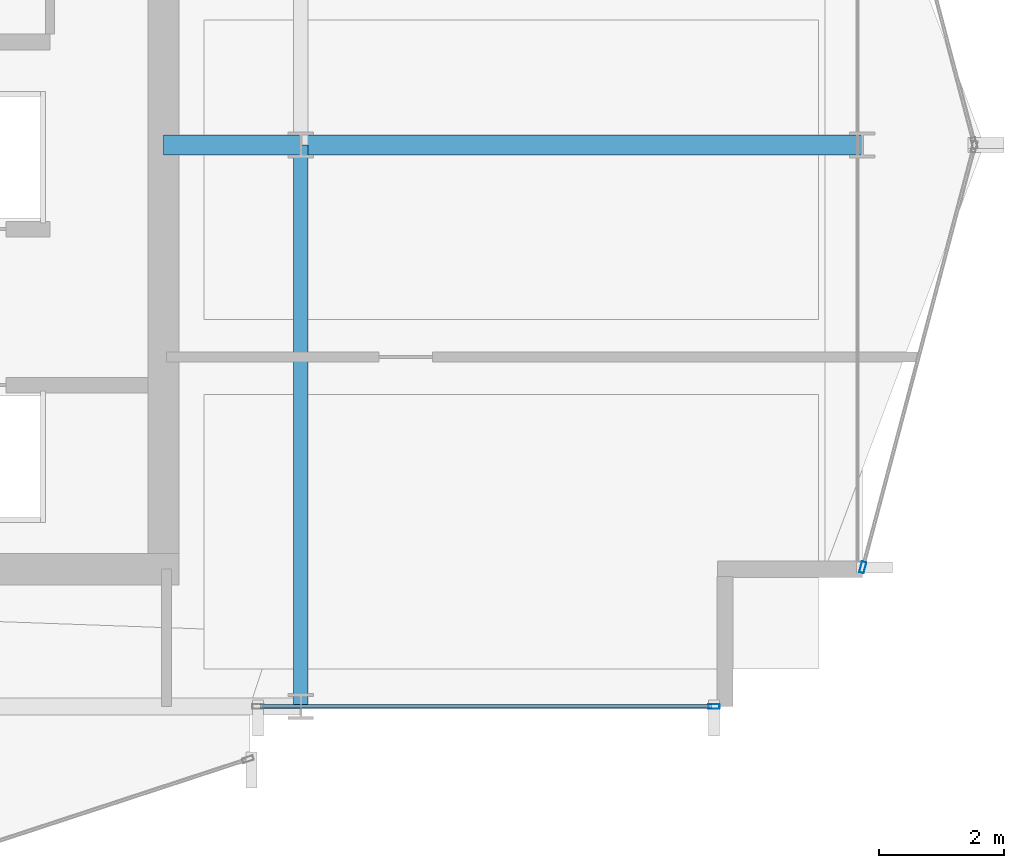
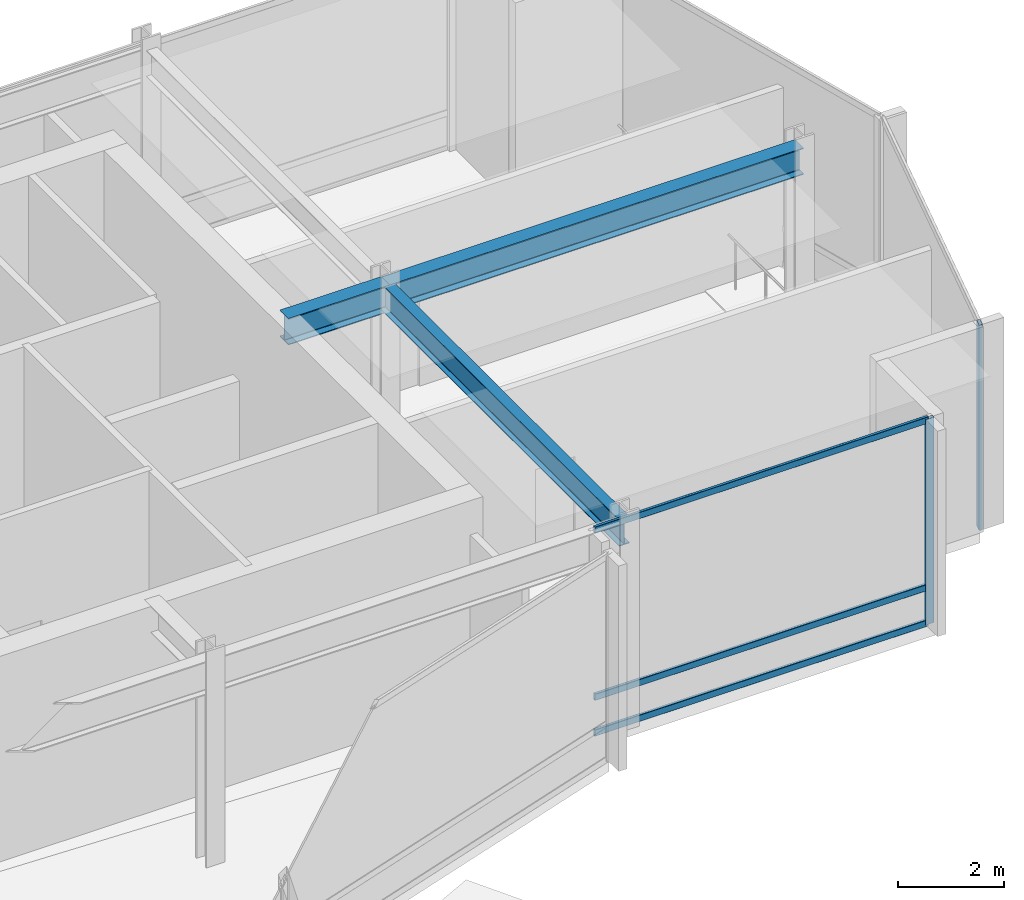
# One storey, part 11 of 29: 5 members, 3 beams, 2 elements without a shape of their own.
"""IFC4 building model written with IfcOpenShell, lengths in metres."""

import ifcopenshell
import ifcopenshell.guid

model = None  # the IFC model being written
_history = None  # IfcOwnerHistory: only IFC2X3 demands one
_inside = {}  # id of a spatial element -> (the spatial element, [elements in it])
_under = {}  # id of a project, library or spatial element -> (it, [spatial elements below it])
_declared = {}  # id of a project -> (the project, [libraries it declares])
_typed = {}  # id of a type object -> (the type object, [elements of that type])
_made_of = {}  # id of a material, layer set ... -> (it, [elements and type objects made of it])


def new_model(schema):
    """Start an empty IFC model of exactly this schema.

    Asked for "IFC4X3", IfcOpenShell would pick the latest addendum, in which some entities
    have other attributes; the version numbers below select the first issue.
    IFC2X3 requires an IfcOwnerHistory on every rooted entity: one is made here for all.
    """
    global model, _history
    if schema == "IFC4X3":
        model = ifcopenshell.file(schema_version=(4, 3, 0, 0))
    else:
        model = ifcopenshell.file(schema=schema)
    _inside.clear()
    _under.clear()
    _declared.clear()
    _typed.clear()
    _made_of.clear()
    _history = None
    if model.schema == "IFC2X3":
        org = make("IfcOrganization", Name="unknown")
        user = make(
            "IfcPersonAndOrganization",
            ThePerson=make("IfcPerson", FamilyName="unknown"),
            TheOrganization=org,
        )
        app = make(
            "IfcApplication",
            ApplicationDeveloper=org,
            Version="unknown",
            ApplicationFullName="unknown",
            ApplicationIdentifier="unknown",
        )
        _history = make(
            "IfcOwnerHistory",
            OwningUser=user,
            OwningApplication=app,
            ChangeAction="ADDED",
            CreationDate=0,
        )
    return model


def make(cls, **values):
    """One entity of the class cls with the attributes given. An attribute that is None is left unset."""
    return model.create_entity(
        cls, **{name: value for name, value in values.items() if value is not None}
    )


def rooted(cls, **values):
    """An entity with a GlobalId (a new one), such as an element, a storey or a relation."""
    return make(cls, GlobalId=ifcopenshell.guid.new(), OwnerHistory=_history, **values)


def si_unit(unit_type, name, prefix=None):
    """IfcSIUnit, for example si_unit("LENGTHUNIT", "METRE", prefix="MILLI")."""
    return make("IfcSIUnit", UnitType=unit_type, Prefix=prefix, Name=name)


def assignment(units):
    """IfcUnitAssignment: the units of a project."""
    return None if units is None else make("IfcUnitAssignment", Units=units)


def point(xyz):
    """IfcCartesianPoint."""
    return None if xyz is None else make("IfcCartesianPoint", Coordinates=xyz)


def direction(xyz):
    """IfcDirection."""
    return None if xyz is None else make("IfcDirection", DirectionRatios=xyz)


def frame(location, z_axis=None, x_axis=None):
    """IfcAxis2Placement3D, a coordinate frame: its origin and axes. An axis left out is left unset."""
    return make(
        "IfcAxis2Placement3D",
        Location=point(location),
        Axis=direction(z_axis),
        RefDirection=direction(x_axis),
    )


def frame_2d(location, x_axis=None):
    """IfcAxis2Placement2D, a coordinate frame in the plane: its origin and x axis."""
    return make(
        "IfcAxis2Placement2D", Location=point(location), RefDirection=direction(x_axis)
    )


def origin():
    """The frame at (0, 0, 0) with its axes left unset."""
    return frame((0.0, 0.0, 0.0))


def origin_2d():
    """The frame at (0, 0) in the plane with its x axis left unset."""
    return frame_2d((0.0, 0.0))


def place(relative_to, where):
    """IfcLocalPlacement: puts the frame where relative to a parent placement (None: the world)."""
    return make(
        "IfcLocalPlacement", PlacementRelTo=relative_to, RelativePlacement=where
    )


def context(
    kind, dimensions, precision=None, world=None, true_north=None, identifier=None
):
    """IfcGeometricRepresentationContext, for example the 3D "Model" context."""
    return make(
        "IfcGeometricRepresentationContext",
        ContextIdentifier=identifier,
        ContextType=kind,
        CoordinateSpaceDimension=dimensions,
        Precision=precision,
        WorldCoordinateSystem=world,
        TrueNorth=true_north,
    )


def subcontext(parent, identifier, kind, view, scale=None):
    """IfcGeometricRepresentationSubContext, for example "Body" below "Model"."""
    return make(
        "IfcGeometricRepresentationSubContext",
        ContextIdentifier=identifier,
        ContextType=kind,
        ParentContext=parent,
        TargetScale=scale,
        TargetView=view,
    )


def project(units=None, contexts=None):
    """IfcProject with its units and contexts."""
    return rooted(
        "IfcProject",
        Name="project",
        RepresentationContexts=contexts,
        UnitsInContext=assignment(units),
    )


def spatial(cls, under=None, at=None, **own):
    """A site, building, storey or space (cls), placed at a placement, below another one or the project."""
    s = rooted(cls, ObjectPlacement=at, **own)
    if under is not None:
        _under.setdefault(under.id(), (under, []))[1].append(s)
    return s


def profile(cls, at=None, kind="AREA", **sizes):
    """A parametric profile (cls). Its sizes go by their IFC names, for example OverallWidth=200.0."""
    return make(cls, ProfileType=kind, Position=at, **sizes)


def hollow_rectangle(**sizes):
    """IfcRectangleHollowProfileDef."""
    return profile("IfcRectangleHollowProfileDef", **sizes)


def i_section(**sizes):
    """IfcIShapeProfileDef."""
    return profile("IfcIShapeProfileDef", **sizes)


def extrude(swept, where, along, depth):
    """IfcExtrudedAreaSolid: the profile swept, set in the frame where, extruded along a direction by depth."""
    return make(
        "IfcExtrudedAreaSolid",
        SweptArea=swept,
        Position=where,
        ExtrudedDirection=direction(along),
        Depth=depth,
    )


def shape(context_of_items, identifier, shape_type, items):
    """IfcShapeRepresentation: the items that make up one representation, for example the "Body"."""
    return make(
        "IfcShapeRepresentation",
        ContextOfItems=context_of_items,
        RepresentationIdentifier=identifier,
        RepresentationType=shape_type,
        Items=items,
    )


def material(Name=None, Category=None):
    """IfcMaterial."""
    return make("IfcMaterial", Name=Name, Category=Category)


def layer(
    of_material, thickness, ventilated=None, Name=None, Category=None, Priority=None
):
    """IfcMaterialLayer: one layer of a wall or slab, of a material (None: an air gap)."""
    return make(
        "IfcMaterialLayer",
        Material=of_material,
        LayerThickness=thickness,
        IsVentilated=ventilated,
        Name=Name,
        Category=Category,
        Priority=Priority,
    )


def layer_set(layers, Name=None):
    """IfcMaterialLayerSet."""
    return make("IfcMaterialLayerSet", MaterialLayers=layers, LayerSetName=Name)


def material_profile(
    of_material, cross_section, Name=None, Category=None, Priority=None
):
    """IfcMaterialProfile: a cross section and its material."""
    return make(
        "IfcMaterialProfile",
        Name=Name,
        Material=of_material,
        Profile=cross_section,
        Priority=Priority,
        Category=Category,
    )


def profile_set(profiles, Name=None, composite=None):
    """IfcMaterialProfileSet."""
    return make(
        "IfcMaterialProfileSet",
        Name=Name,
        MaterialProfiles=profiles,
        CompositeProfile=composite,
    )


def made_of(thing, what):
    """Note that an element or type object is made of a material, layer set ...; save() writes the relation."""
    if what is not None:
        _made_of.setdefault(what.id(), (what, []))[1].append(thing)
    return thing


def type_object(cls, material=None, **own):
    """A type object (cls), such as IfcWallType, which elements share."""
    return made_of(rooted(cls, **own), material)


def element(
    cls,
    number,
    at=None,
    inside=None,
    cuts=None,
    type_object=None,
    material=None,
    context=None,
    identifier="Body",
    shape_type=None,
    held_by="IfcProductDefinitionShape",
    body=None,
    shapes=None,
    **own,
):
    """One element of the class cls, such as IfcWall. Its Tag is "e" and its number.

    at: its placement. inside: the storey or other place that contains it. cuts: it is an
    opening in that element (IfcRelVoidsElement). A single representation is given by context,
    identifier, shape_type and body (its items); several are given by shapes. held_by: the class
    of the entity that holds the representations. save() writes the other relations.
    """
    e = rooted(cls, Tag="e%d" % number, ObjectPlacement=at, **own)
    if body is not None:
        shapes = [shape(context, identifier, shape_type, body)]
    if shapes is not None:
        e.Representation = make(held_by, Representations=shapes)
    if inside is not None:
        _inside.setdefault(inside.id(), (inside, []))[1].append(e)
    if cuts is not None:
        rooted(
            "IfcRelVoidsElement", RelatingBuildingElement=cuts, RelatedOpeningElement=e
        )
    if type_object is not None:
        _typed.setdefault(type_object.id(), (type_object, []))[1].append(e)
    return made_of(e, material)


def aggregate(whole, parts):
    """IfcRelAggregates: a whole, such as a stair, and the parts it consists of."""
    return rooted("IfcRelAggregates", RelatingObject=whole, RelatedObjects=parts)


def save(model, path):
    """Write the relations noted so far, then the file.

    IfcRelAggregates (storeys below a building ...), IfcRelContainedInSpatialStructure (elements
    in a storey), IfcRelDefinesByType, IfcRelAssociatesMaterial and IfcRelDeclares: one each for
    every whole, place, type object, material and project.
    """
    for whole, parts in _under.values():
        aggregate(whole, parts)
    for where, things in _inside.values():
        rooted(
            "IfcRelContainedInSpatialStructure",
            RelatedElements=things,
            RelatingStructure=where,
        )
    for kind, things in _typed.values():
        rooted("IfcRelDefinesByType", RelatedObjects=things, RelatingType=kind)
    for what, things in _made_of.values():
        rooted("IfcRelAssociatesMaterial", RelatedObjects=things, RelatingMaterial=what)
    for by, libraries in _declared.values():
        rooted("IfcRelDeclares", RelatingContext=by, RelatedDefinitions=libraries)
    model.write(path)


model = new_model("IFC4")

# Units and contexts
model_context = context("Model", 3, precision=1e-05, world=origin(), true_north=direction((0.0, 1.0)))
body_context = subcontext(model_context, "Body", "Model", "MODEL_VIEW")
ifc_project = project(units=[si_unit("LENGTHUNIT", "METRE"), si_unit("AREAUNIT", "SQUARE_METRE"), si_unit("VOLUMEUNIT", "CUBIC_METRE"), si_unit("PLANEANGLEUNIT", "RADIAN"), si_unit("MASSUNIT", "GRAM", prefix="KILO")], contexts=[model_context])

# Site, building, storey
site_placement = place(None, origin())
site = spatial("IfcSite", under=ifc_project, at=site_placement, CompositionType="ELEMENT")
building_placement = place(site_placement, origin())
building = spatial("IfcBuilding", under=site, at=building_placement, Name="Solvaryn Broadcast Tower", CompositionType="ELEMENT")
storey_placement = place(building_placement, frame((0.0, 0.0, 169.199951171875)))
storey = spatial("IfcBuildingStorey", under=building, at=storey_placement, Name="L42", CompositionType="ELEMENT", Elevation=169.199951171875)

# Beams
ifc_material_1 = material(Name="Steel ASTM A992 Grade 50", Category="steel")
ifc_material_profile_1 = material_profile(ifc_material_1, i_section(OverallWidth=0.323974609375, OverallDepth=0.611083984375, WebThickness=0.0126953125, FlangeThickness=0.01904296875, FilletRadius=0.014892578125, at=origin_2d()))
ifc_profile_set_1 = profile_set([ifc_material_profile_1], Name="Steel ASTM A992 Grade 50")
beam_type_1 = type_object("IfcBeamType", Name="BM-B1-W24X104", PredefinedType="BEAM", material=ifc_profile_set_1)
beam_1_placement = place(storey_placement, frame((45.0, 18.0, 4.41455078125), z_axis=(1.0, 0.0, 0.0), x_axis=(0.0, 1.0, 0.0)))
element("IfcBeam", 1, at=beam_1_placement, inside=storey, type_object=beam_type_1, Name="L42 Primary Beam X (45-54 @ Y=18)", PredefinedType="BEAM", context=body_context, shape_type="SweptSolid", body=[
    extrude(i_section(OverallWidth=0.323974609375, OverallDepth=0.611083984375, WebThickness=0.0126953125, FlangeThickness=0.01904296875, FilletRadius=0.014892578125, at=origin_2d()), origin(), (0.0, 0.0, 1.0), 9.0),
])
beam_2_placement = place(storey_placement, frame((42.800048828125, 18.0, 4.41455078125), z_axis=(1.0, 0.0, 0.0), x_axis=(0.0, 1.0, 0.0)))
element("IfcBeam", 2, at=beam_2_placement, inside=storey, type_object=beam_type_1, Name="L42 Core Tie Beam CTE3", PredefinedType="BEAM", context=body_context, shape_type="SweptSolid", body=[
    extrude(i_section(OverallWidth=0.323974609375, OverallDepth=0.611083984375, WebThickness=0.0126953125, FlangeThickness=0.01904296875, FilletRadius=0.014892578125, at=origin_2d()), origin(), (0.0, 0.0, 1.0), 2.199951171875),
])
ifc_material_2 = material(Name="Steel ASTM A992 Grade 50", Category="steel")
ifc_material_profile_2 = material_profile(ifc_material_2, i_section(OverallWidth=0.22802734375, OverallDepth=0.60791015625, WebThickness=0.01123046875, FlangeThickness=0.017333984375, FilletRadius=0.014892578125, at=origin_2d()))
ifc_profile_set_2 = profile_set([ifc_material_profile_2], Name="Steel ASTM A992 Grade 50")
beam_type_2 = type_object("IfcBeamType", Name="BM-B2-W24X76", PredefinedType="BEAM", material=ifc_profile_set_2)
beam_3_placement = place(storey_placement, frame((45.0, 9.0, 4.416015625), z_axis=(0.0, 1.0, 0.0), x_axis=(-1.0, 0.0, 0.0)))
element("IfcBeam", 3, at=beam_3_placement, inside=storey, type_object=beam_type_2, Name="L42 Primary Beam Y (9-18 @ X=45)", PredefinedType="BEAM", context=body_context, shape_type="SweptSolid", body=[
    extrude(i_section(OverallWidth=0.22802734375, OverallDepth=0.60791015625, WebThickness=0.01123046875, FlangeThickness=0.017333984375, FilletRadius=0.014892578125, at=origin_2d()), origin(), (0.0, 0.0, 1.0), 9.0),
])

# Curtain wall, member
ifc_material_3 = material(Name="Aluminium and Terracotta Unitised Curtain Wall", Category="masonry")
ifc_layer = layer(ifc_material_3, 0.25)
ifc_layer_set = layer_set([ifc_layer], Name="CW-SYS4-SKYGARDEN")
curtain_wall_type = type_object("IfcCurtainWallType", Name="CW-SYS4-SKYGARDEN", PredefinedType="NOTDEFINED", material=ifc_layer_set)
curtain_wall_1_placement = place(storey_placement, origin())
curtain_wall_1 = element("IfcCurtainWall", 4, at=curtain_wall_1_placement, inside=storey, type_object=curtain_wall_type, Name="L42 Curtain Wall S2", PredefinedType="NOTDEFINED")
ifc_material_4 = material(Name="Anodised Aluminium 6063-T6", Category="aluminium")
ifc_material_profile_3 = material_profile(ifc_material_4, hollow_rectangle(XDim=0.074951171875, YDim=0.179931640625, WallThickness=0.00390625, InnerFilletRadius=0.00390625, OuterFilletRadius=0.008056640625, at=origin_2d()))
ifc_profile_set_3 = profile_set([ifc_material_profile_3], Name="Anodised Aluminium 6063-T6")
member_type_1 = type_object("IfcMemberType", Name="CW-MUL-180", PredefinedType="MULLION", material=ifc_profile_set_3)
member_1_placement = place(storey_placement, frame((51.6201171875, 9.0, 0.0), z_axis=(0.0, 0.0, 1.0), x_axis=(0.0, 1.0, 0.0)))
member_1 = element("IfcMember", 5, at=member_1_placement, type_object=member_type_1, Name="CWS4 mullion 2", PredefinedType="MULLION", context=body_context, shape_type="SweptSolid", body=[
    extrude(hollow_rectangle(XDim=0.074951171875, YDim=0.179931640625, WallThickness=0.00390625, InnerFilletRadius=0.00390625, OuterFilletRadius=0.008056640625, at=origin_2d()), origin(), (0.0, 0.0, 1.0), 4.719970703125),
])

curtain_wall_2_placement = place(storey_placement, origin())
curtain_wall_2 = element("IfcCurtainWall", 6, at=curtain_wall_2_placement, inside=storey, type_object=curtain_wall_type, Name="L42 Curtain Wall ET2", PredefinedType="NOTDEFINED")
member_2_placement = place(storey_placement, frame((54.007568359375, 11.22900390625, 0.0), z_axis=(0.0, 0.0, 1.0), x_axis=(0.966705227863, -0.25589256031, 0.0)))
member_2 = element("IfcMember", 7, at=member_2_placement, type_object=member_type_1, Name="CWS4 mullion 2", PredefinedType="MULLION", context=body_context, shape_type="SweptSolid", body=[
    extrude(hollow_rectangle(XDim=0.074951171875, YDim=0.179931640625, WallThickness=0.00390625, InnerFilletRadius=0.00390625, OuterFilletRadius=0.008056640625, at=origin_2d()), origin(), (0.0, 0.0, 1.0), 4.719970703125),
])
aggregate(curtain_wall_2, [member_2])

# Member
ifc_material_5 = material(Name="Anodised Aluminium 6063-T6", Category="aluminium")
ifc_material_profile_4 = material_profile(ifc_material_5, hollow_rectangle(XDim=0.06494140625, YDim=0.14990234375, WallThickness=0.00390625, InnerFilletRadius=0.00390625, OuterFilletRadius=0.008056640625, at=origin_2d()))
ifc_profile_set_4 = profile_set([ifc_material_profile_4], Name="Anodised Aluminium 6063-T6")
member_type_2 = type_object("IfcMemberType", Name="CW-TRN-150", PredefinedType="USERDEFINED", material=ifc_profile_set_4)
member_3_placement = place(storey_placement, frame((44.342041015625, 9.0, 0.030029296875), z_axis=(1.0, 0.0, 0.0), x_axis=(0.0, 1.0, 0.0)))
member_3 = element("IfcMember", 8, at=member_3_placement, type_object=member_type_2, Name="CWS4 transom 1.1", ObjectType="TRANSOM", PredefinedType="USERDEFINED", context=body_context, shape_type="SweptSolid", body=[
    extrude(hollow_rectangle(XDim=0.06494140625, YDim=0.14990234375, WallThickness=0.00390625, InnerFilletRadius=0.00390625, OuterFilletRadius=0.008056640625, at=origin_2d()), origin(), (0.0, 0.0, 1.0), 7.248046875),
])

member_4_placement = place(storey_placement, frame((44.342041015625, 9.0, 0.85009765625), z_axis=(1.0, 0.0, 0.0), x_axis=(0.0, 1.0, 0.0)))
member_4 = element("IfcMember", 9, at=member_4_placement, type_object=member_type_2, Name="CWS4 transom 1.2", ObjectType="TRANSOM", PredefinedType="USERDEFINED", context=body_context, shape_type="SweptSolid", body=[
    extrude(hollow_rectangle(XDim=0.06494140625, YDim=0.14990234375, WallThickness=0.00390625, InnerFilletRadius=0.00390625, OuterFilletRadius=0.008056640625, at=origin_2d()), origin(), (0.0, 0.0, 1.0), 7.248046875),
])

member_5_placement = place(storey_placement, frame((44.342041015625, 9.0, 4.68994140625), z_axis=(1.0, 0.0, 0.0), x_axis=(0.0, 1.0, 0.0)))
member_5 = element("IfcMember", 10, at=member_5_placement, type_object=member_type_2, Name="CWS4 transom 1.3", ObjectType="TRANSOM", PredefinedType="USERDEFINED", context=body_context, shape_type="SweptSolid", body=[
    extrude(hollow_rectangle(XDim=0.06494140625, YDim=0.14990234375, WallThickness=0.00390625, InnerFilletRadius=0.00390625, OuterFilletRadius=0.008056640625, at=origin_2d()), origin(), (0.0, 0.0, 1.0), 7.248046875),
])

aggregate(curtain_wall_1, [member_1, member_3, member_4, member_5])

save(model, "model.ifc")
